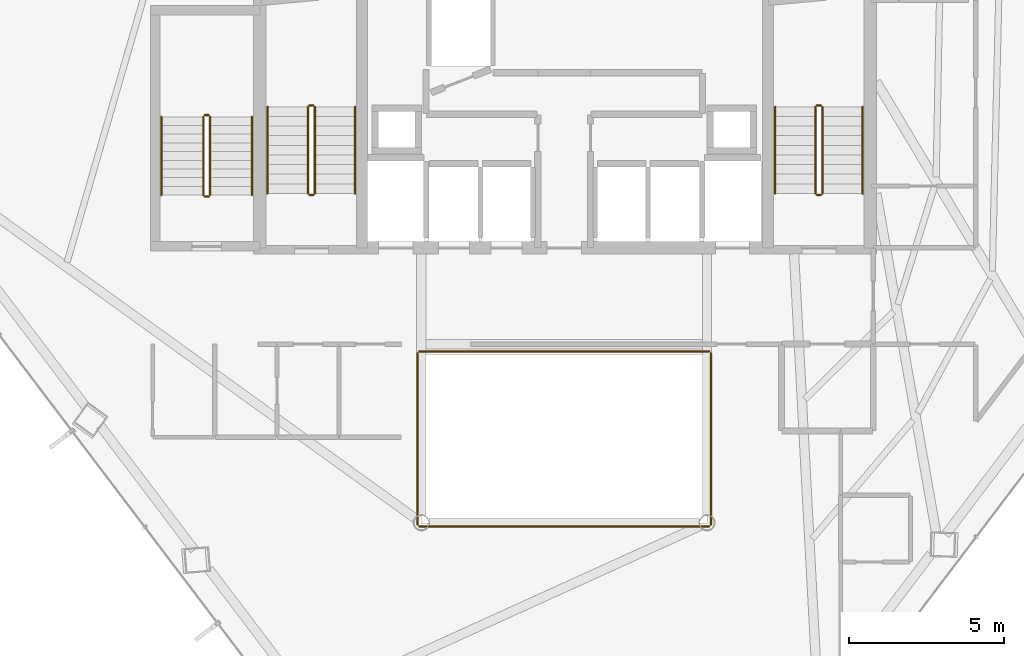
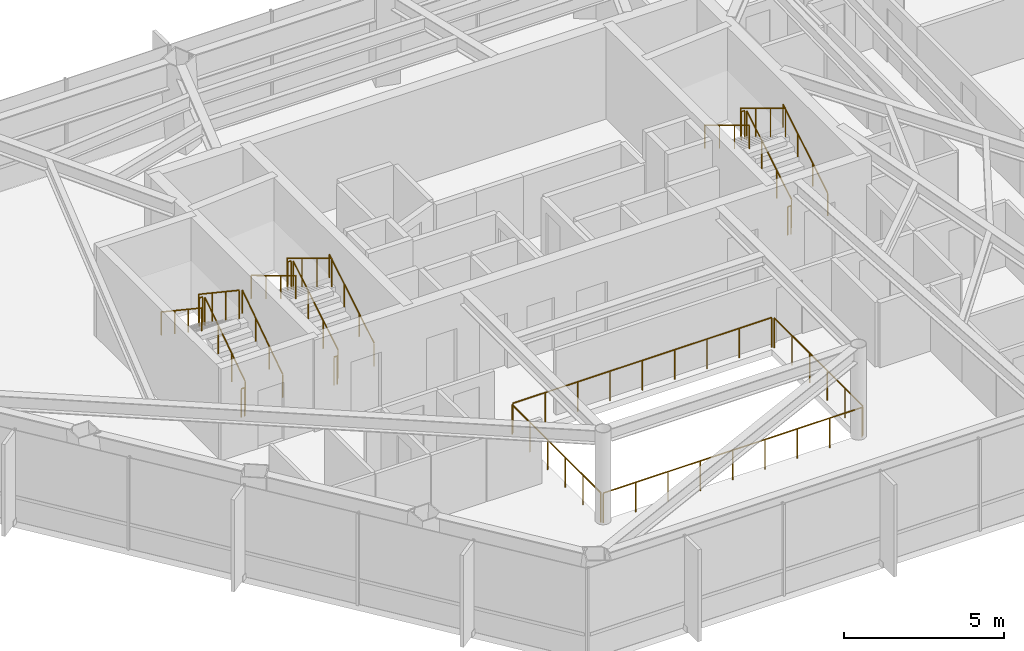
# One storey, part 30 of 30: 22 railings.
"""IFC4 building model written with IfcOpenShell, lengths in metres."""

from ifc_helpers import new_model, si_unit, direction, frame, origin, origin_2d, place, context, subcontext, project, spatial, circle, extrude, material, type_object, element, save


model = new_model("IFC4")

# Units and contexts
model_context = context("Model", 3, precision=1e-05, world=origin(), true_north=direction((0.0, 1.0)))
body_context = subcontext(model_context, "Body", "Model", "MODEL_VIEW")
ifc_project = project(units=[si_unit("LENGTHUNIT", "METRE"), si_unit("AREAUNIT", "SQUARE_METRE"), si_unit("VOLUMEUNIT", "CUBIC_METRE"), si_unit("PLANEANGLEUNIT", "RADIAN"), si_unit("MASSUNIT", "GRAM", prefix="KILO")], contexts=[model_context])

# Site, building, storey
site_placement = place(None, origin())
site = spatial("IfcSite", under=ifc_project, at=site_placement, CompositionType="ELEMENT")
building_placement = place(site_placement, origin())
building = spatial("IfcBuilding", under=site, at=building_placement, Name="Zarrinselat Tower", CompositionType="ELEMENT")
storey_placement = place(building_placement, frame((0.0, 0.0, 130.89990234375)))
storey = spatial("IfcBuildingStorey", under=building, at=storey_placement, Name="L31", CompositionType="ELEMENT", Elevation=130.89990234375)

# Railings
ifc_material_1 = material(Name="Double Low-E Laminated Solar Glass", Category="glass")
railing_type_1 = type_object("IfcRailingType", Name="RLG-ATRIUM-BAL", PredefinedType="BALUSTRADE", material=ifc_material_1)
railing_1_placement = place(storey_placement, frame((33.739990234375, 24.280029296875, 0.0)))
element("IfcRailing", 1, at=railing_1_placement, inside=storey, type_object=railing_type_1, Name="L31 Atrium Void Glass Balustrade S", PredefinedType="BALUSTRADE", context=body_context, shape_type="SweptSolid", body=[
    extrude(circle(Radius=0.02392578125, at=origin_2d()), frame((0.0, 0.0, 1.1259765625), z_axis=(1.0, 0.0, 0.0), x_axis=(0.0, 1.0, 0.0)), (0.0, 0.0, 1.0), 9.320068359375),
    extrude(circle(Radius=0.02099609375, at=origin_2d()), origin(), (0.0, 0.0, 1.0), 1.099853515625),
    extrude(circle(Radius=0.02099609375, at=origin_2d()), frame((1.1650390625, 0.0, 0.0)), (0.0, 0.0, 1.0), 1.099853515625),
    extrude(circle(Radius=0.02099609375, at=origin_2d()), frame((2.330078125, 0.0, 0.0)), (0.0, 0.0, 1.0), 1.099853515625),
    extrude(circle(Radius=0.02099609375, at=origin_2d()), frame((3.4951171875, 0.0, 0.0)), (0.0, 0.0, 1.0), 1.099853515625),
    extrude(circle(Radius=0.02099609375, at=origin_2d()), frame((4.66015625, 0.0, 0.0)), (0.0, 0.0, 1.0), 1.099853515625),
    extrude(circle(Radius=0.02099609375, at=origin_2d()), frame((5.824951171875, 0.0, 0.0)), (0.0, 0.0, 1.0), 1.099853515625),
    extrude(circle(Radius=0.02099609375, at=origin_2d()), frame((6.989990234375, 0.0, 0.0)), (0.0, 0.0, 1.0), 1.099853515625),
    extrude(circle(Radius=0.02099609375, at=origin_2d()), frame((8.155029296875, 0.0, 0.0)), (0.0, 0.0, 1.0), 1.099853515625),
    extrude(circle(Radius=0.02099609375, at=origin_2d()), frame((9.320068359375, 0.0, 0.0)), (0.0, 0.0, 1.0), 1.099853515625),
])
railing_2_placement = place(storey_placement, frame((43.1201171875, 24.340087890625, 0.0)))
element("IfcRailing", 2, at=railing_2_placement, inside=storey, type_object=railing_type_1, Name="L31 Atrium Void Glass Balustrade E", PredefinedType="BALUSTRADE", context=body_context, shape_type="SweptSolid", body=[
    extrude(circle(Radius=0.02392578125, at=origin_2d()), frame((0.0, 0.0, 1.1259765625), z_axis=(0.0, 1.0, 0.0), x_axis=(-1.0, 0.0, 0.0)), (0.0, 0.0, 1.0), 5.52001953125),
    extrude(circle(Radius=0.02099609375, at=origin_2d()), origin(), (0.0, 0.0, 1.0), 1.099853515625),
    extrude(circle(Radius=0.02099609375, at=origin_2d()), frame((0.0, 1.10400390625, 0.0)), (0.0, 0.0, 1.0), 1.099853515625),
    extrude(circle(Radius=0.02099609375, at=origin_2d()), frame((0.0, 2.2080078125, 0.0)), (0.0, 0.0, 1.0), 1.099853515625),
    extrude(circle(Radius=0.02099609375, at=origin_2d()), frame((0.0, 3.31201171875, 0.0)), (0.0, 0.0, 1.0), 1.099853515625),
    extrude(circle(Radius=0.02099609375, at=origin_2d()), frame((0.0, 4.416015625, 0.0)), (0.0, 0.0, 1.0), 1.099853515625),
    extrude(circle(Radius=0.02099609375, at=origin_2d()), frame((0.0, 5.52001953125, 0.0)), (0.0, 0.0, 1.0), 1.099853515625),
])
railing_3_placement = place(storey_placement, frame((43.06005859375, 29.919921875, 0.0)))
element("IfcRailing", 3, at=railing_3_placement, inside=storey, type_object=railing_type_1, Name="L31 Atrium Void Glass Balustrade N", PredefinedType="BALUSTRADE", context=body_context, shape_type="SweptSolid", body=[
    extrude(circle(Radius=0.02392578125, at=origin_2d()), frame((0.0, 0.0, 1.1259765625), z_axis=(-1.0, 0.0, 0.0), x_axis=(0.0, -1.0, 0.0)), (0.0, 0.0, 1.0), 9.320068359375),
    extrude(circle(Radius=0.02099609375, at=origin_2d()), origin(), (0.0, 0.0, 1.0), 1.099853515625),
    extrude(circle(Radius=0.02099609375, at=origin_2d()), frame((-1.1650390625, 0.0, 0.0)), (0.0, 0.0, 1.0), 1.099853515625),
    extrude(circle(Radius=0.02099609375, at=origin_2d()), frame((-2.330078125, 0.0, 0.0)), (0.0, 0.0, 1.0), 1.099853515625),
    extrude(circle(Radius=0.02099609375, at=origin_2d()), frame((-3.4951171875, 0.0, 0.0)), (0.0, 0.0, 1.0), 1.099853515625),
    extrude(circle(Radius=0.02099609375, at=origin_2d()), frame((-4.66015625, 0.0, 0.0)), (0.0, 0.0, 1.0), 1.099853515625),
    extrude(circle(Radius=0.02099609375, at=origin_2d()), frame((-5.824951171875, 0.0, 0.0)), (0.0, 0.0, 1.0), 1.099853515625),
    extrude(circle(Radius=0.02099609375, at=origin_2d()), frame((-6.989990234375, 0.0, 0.0)), (0.0, 0.0, 1.0), 1.099853515625),
    extrude(circle(Radius=0.02099609375, at=origin_2d()), frame((-8.155029296875, 0.0, 0.0)), (0.0, 0.0, 1.0), 1.099853515625),
    extrude(circle(Radius=0.02099609375, at=origin_2d()), frame((-9.320068359375, 0.0, 0.0)), (0.0, 0.0, 1.0), 1.099853515625),
])
railing_4_placement = place(storey_placement, frame((33.679931640625, 29.860107421875, 0.0)))
element("IfcRailing", 4, at=railing_4_placement, inside=storey, type_object=railing_type_1, Name="L31 Atrium Void Glass Balustrade W", PredefinedType="BALUSTRADE", context=body_context, shape_type="SweptSolid", body=[
    extrude(circle(Radius=0.02392578125, at=origin_2d()), frame((0.0, 0.0, 1.1259765625), z_axis=(0.0, -1.0, 0.0), x_axis=(1.0, 0.0, 0.0)), (0.0, 0.0, 1.0), 5.52001953125),
    extrude(circle(Radius=0.02099609375, at=origin_2d()), origin(), (0.0, 0.0, 1.0), 1.099853515625),
    extrude(circle(Radius=0.02099609375, at=origin_2d()), frame((0.0, -1.10400390625, 0.0)), (0.0, 0.0, 1.0), 1.099853515625),
    extrude(circle(Radius=0.02099609375, at=origin_2d()), frame((0.0, -2.2080078125, 0.0)), (0.0, 0.0, 1.0), 1.099853515625),
    extrude(circle(Radius=0.02099609375, at=origin_2d()), frame((0.0, -3.31201171875, 0.0)), (0.0, 0.0, 1.0), 1.099853515625),
    extrude(circle(Radius=0.02099609375, at=origin_2d()), frame((0.0, -4.416015625, 0.0)), (0.0, 0.0, 1.0), 1.099853515625),
    extrude(circle(Radius=0.02099609375, at=origin_2d()), frame((0.0, -5.52001953125, 0.0)), (0.0, 0.0, 1.0), 1.099853515625),
])
ifc_material_2 = material(Name="Steel S355J2", Category="steel")
railing_type_2 = type_object("IfcRailingType", Name="RLG-STAIR-GUARD", PredefinedType="GUARDRAIL", material=ifc_material_2)
railing_5_placement = place(storey_placement, frame((30.3701171875, 35.0, 0.18701171875)))
element("IfcRailing", 5, at=railing_5_placement, inside=storey, type_object=railing_type_2, Name="L31 ST-1 stair guard 1", PredefinedType="GUARDRAIL", context=body_context, shape_type="SweptSolid", body=[
    extrude(circle(Radius=0.02392578125, at=origin_2d()), frame((0.0, 0.0, 1.076171875), z_axis=(0.0, 0.856260799362, 0.516543747882), x_axis=(-1.0, 0.0, 0.0)), (0.0, 0.0, 1.0), 3.25830078125),
    extrude(circle(Radius=0.02099609375, at=origin_2d()), origin(), (0.0, 0.0, 1.0), 1.050048828125),
    extrude(circle(Radius=0.02099609375, at=origin_2d()), frame((0.0, 0.929931640625, 0.56103515625)), (0.0, 0.0, 1.0), 1.050048828125),
    extrude(circle(Radius=0.02099609375, at=origin_2d()), frame((0.0, 1.860107421875, 1.1220703125)), (0.0, 0.0, 1.0), 1.050048828125),
    extrude(circle(Radius=0.02099609375, at=origin_2d()), frame((0.0, 2.7900390625, 1.68310546875)), (0.0, 0.0, 1.0), 1.050048828125),
])
railing_6_placement = place(storey_placement, frame((30.320068359375, 37.840087890625, 1.8701171875)))
element("IfcRailing", 6, at=railing_6_placement, inside=storey, type_object=railing_type_2, Name="L31 ST-1 stair guard 2", PredefinedType="GUARDRAIL", context=body_context, shape_type="SweptSolid", body=[
    extrude(circle(Radius=0.02392578125, at=origin_2d()), frame((0.0, 0.0, 1.076171875), z_axis=(-1.0, 0.0, 0.0), x_axis=(0.0, -1.0, 0.0)), (0.0, 0.0, 1.0), 0.1201171875),
    extrude(circle(Radius=0.02099609375, at=origin_2d()), origin(), (0.0, 0.0, 1.0), 1.050048828125),
    extrude(circle(Radius=0.02099609375, at=origin_2d()), frame((-0.1201171875, 0.0, 0.0)), (0.0, 0.0, 1.0), 1.050048828125),
])
railing_7_placement = place(storey_placement, frame((30.14990234375, 37.7900390625, 2.05712890625)))
element("IfcRailing", 7, at=railing_7_placement, inside=storey, type_object=railing_type_2, Name="L31 ST-1 stair guard 3", PredefinedType="GUARDRAIL", context=body_context, shape_type="SweptSolid", body=[
    extrude(circle(Radius=0.02392578125, at=origin_2d()), frame((0.0, 0.0, 1.076171875), z_axis=(0.0, -0.856293938615, 0.516488809842), x_axis=(1.0, 0.0, 0.0)), (0.0, 0.0, 1.0), 3.25830078125),
    extrude(circle(Radius=0.02099609375, at=origin_2d()), origin(), (0.0, 0.0, 1.0), 1.050048828125),
    extrude(circle(Radius=0.02099609375, at=origin_2d()), frame((0.0, -0.929931640625, 0.56103515625)), (0.0, 0.0, 1.0), 1.050048828125),
    extrude(circle(Radius=0.02099609375, at=origin_2d()), frame((0.0, -1.860107421875, 1.121826171875)), (0.0, 0.0, 1.0), 1.050048828125),
    extrude(circle(Radius=0.02099609375, at=origin_2d()), frame((0.0, -2.7900390625, 1.682861328125)), (0.0, 0.0, 1.0), 1.050048828125),
])
railing_8_placement = place(storey_placement, frame((30.320068359375, 34.949951171875, 0.0)))
element("IfcRailing", 8, at=railing_8_placement, inside=storey, type_object=railing_type_2, Name="L31 ST-1 stair guard 4", PredefinedType="GUARDRAIL", context=body_context, shape_type="SweptSolid", body=[
    extrude(circle(Radius=0.02392578125, at=origin_2d()), frame((0.0, 0.0, 1.076171875), z_axis=(-1.0, 0.0, 0.0), x_axis=(0.0, -1.0, 0.0)), (0.0, 0.0, 1.0), 0.1201171875),
    extrude(circle(Radius=0.02099609375, at=origin_2d()), origin(), (0.0, 0.0, 1.0), 1.050048828125),
    extrude(circle(Radius=0.02099609375, at=origin_2d()), frame((-0.1201171875, 0.0, 0.0)), (0.0, 0.0, 1.0), 1.050048828125),
])
railing_9_placement = place(storey_placement, frame((46.7099609375, 35.0, 0.18701171875)))
element("IfcRailing", 9, at=railing_9_placement, inside=storey, type_object=railing_type_2, Name="L31 ST-2 stair guard 1", PredefinedType="GUARDRAIL", context=body_context, shape_type="SweptSolid", body=[
    extrude(circle(Radius=0.02392578125, at=origin_2d()), frame((0.0, 0.0, 1.076171875), z_axis=(0.0, 0.856260799362, 0.516543747882), x_axis=(-1.0, 0.0, 0.0)), (0.0, 0.0, 1.0), 3.25830078125),
    extrude(circle(Radius=0.02099609375, at=origin_2d()), origin(), (0.0, 0.0, 1.0), 1.050048828125),
    extrude(circle(Radius=0.02099609375, at=origin_2d()), frame((0.0, 0.929931640625, 0.56103515625)), (0.0, 0.0, 1.0), 1.050048828125),
    extrude(circle(Radius=0.02099609375, at=origin_2d()), frame((0.0, 1.860107421875, 1.1220703125)), (0.0, 0.0, 1.0), 1.050048828125),
    extrude(circle(Radius=0.02099609375, at=origin_2d()), frame((0.0, 2.7900390625, 1.68310546875)), (0.0, 0.0, 1.0), 1.050048828125),
])
railing_10_placement = place(storey_placement, frame((46.659912109375, 37.840087890625, 1.8701171875)))
element("IfcRailing", 10, at=railing_10_placement, inside=storey, type_object=railing_type_2, Name="L31 ST-2 stair guard 2", PredefinedType="GUARDRAIL", context=body_context, shape_type="SweptSolid", body=[
    extrude(circle(Radius=0.02392578125, at=origin_2d()), frame((0.0, 0.0, 1.076171875), z_axis=(-1.0, 0.0, 0.0), x_axis=(0.0, -1.0, 0.0)), (0.0, 0.0, 1.0), 0.119873046875),
    extrude(circle(Radius=0.02099609375, at=origin_2d()), origin(), (0.0, 0.0, 1.0), 1.050048828125),
    extrude(circle(Radius=0.02099609375, at=origin_2d()), frame((-0.119873046875, 0.0, 0.0)), (0.0, 0.0, 1.0), 1.050048828125),
])
railing_11_placement = place(storey_placement, frame((46.489990234375, 37.7900390625, 2.05712890625)))
element("IfcRailing", 11, at=railing_11_placement, inside=storey, type_object=railing_type_2, Name="L31 ST-2 stair guard 3", PredefinedType="GUARDRAIL", context=body_context, shape_type="SweptSolid", body=[
    extrude(circle(Radius=0.02392578125, at=origin_2d()), frame((0.0, 0.0, 1.076171875), z_axis=(0.0, -0.856293938615, 0.516488809842), x_axis=(1.0, 0.0, 0.0)), (0.0, 0.0, 1.0), 3.25830078125),
    extrude(circle(Radius=0.02099609375, at=origin_2d()), origin(), (0.0, 0.0, 1.0), 1.050048828125),
    extrude(circle(Radius=0.02099609375, at=origin_2d()), frame((0.0, -0.929931640625, 0.56103515625)), (0.0, 0.0, 1.0), 1.050048828125),
    extrude(circle(Radius=0.02099609375, at=origin_2d()), frame((0.0, -1.860107421875, 1.121826171875)), (0.0, 0.0, 1.0), 1.050048828125),
    extrude(circle(Radius=0.02099609375, at=origin_2d()), frame((0.0, -2.7900390625, 1.682861328125)), (0.0, 0.0, 1.0), 1.050048828125),
])
railing_12_placement = place(storey_placement, frame((46.659912109375, 34.949951171875, 0.0)))
element("IfcRailing", 12, at=railing_12_placement, inside=storey, type_object=railing_type_2, Name="L31 ST-2 stair guard 4", PredefinedType="GUARDRAIL", context=body_context, shape_type="SweptSolid", body=[
    extrude(circle(Radius=0.02392578125, at=origin_2d()), frame((0.0, 0.0, 1.076171875), z_axis=(-1.0, 0.0, 0.0), x_axis=(0.0, -1.0, 0.0)), (0.0, 0.0, 1.0), 0.119873046875),
    extrude(circle(Radius=0.02099609375, at=origin_2d()), origin(), (0.0, 0.0, 1.0), 1.050048828125),
    extrude(circle(Radius=0.02099609375, at=origin_2d()), frame((-0.119873046875, 0.0, 0.0)), (0.0, 0.0, 1.0), 1.050048828125),
])
railing_13_placement = place(storey_placement, frame((27.0, 34.949951171875, 0.18701171875)))
element("IfcRailing", 13, at=railing_13_placement, inside=storey, type_object=railing_type_2, Name="L31 ST-3 stair guard 1", PredefinedType="GUARDRAIL", context=body_context, shape_type="SweptSolid", body=[
    extrude(circle(Radius=0.02392578125, at=origin_2d()), frame((0.0, 0.0, 1.076171875), z_axis=(0.0, 0.831579006341, 0.555406478368), x_axis=(-1.0, 0.0, 0.0)), (0.0, 0.0, 1.0), 3.030517578125),
    extrude(circle(Radius=0.02099609375, at=origin_2d()), origin(), (0.0, 0.0, 1.0), 1.050048828125),
    extrude(circle(Radius=0.02099609375, at=origin_2d()), frame((0.0, 0.840087890625, 0.56103515625)), (0.0, 0.0, 1.0), 1.050048828125),
    extrude(circle(Radius=0.02099609375, at=origin_2d()), frame((0.0, 1.679931640625, 1.1220703125)), (0.0, 0.0, 1.0), 1.050048828125),
    extrude(circle(Radius=0.02099609375, at=origin_2d()), frame((0.0, 2.52001953125, 1.68310546875)), (0.0, 0.0, 1.0), 1.050048828125),
])
railing_14_placement = place(storey_placement, frame((26.949951171875, 37.52001953125, 1.8701171875)))
element("IfcRailing", 14, at=railing_14_placement, inside=storey, type_object=railing_type_2, Name="L31 ST-3 stair guard 2", PredefinedType="GUARDRAIL", context=body_context, shape_type="SweptSolid", body=[
    extrude(circle(Radius=0.02392578125, at=origin_2d()), frame((0.0, 0.0, 1.076171875), z_axis=(-1.0, 0.0, 0.0), x_axis=(0.0, -1.0, 0.0)), (0.0, 0.0, 1.0), 0.119873046875),
    extrude(circle(Radius=0.02099609375, at=origin_2d()), origin(), (0.0, 0.0, 1.0), 1.050048828125),
    extrude(circle(Radius=0.02099609375, at=origin_2d()), frame((-0.119873046875, 0.0, 0.0)), (0.0, 0.0, 1.0), 1.050048828125),
])
railing_15_placement = place(storey_placement, frame((26.780029296875, 37.469970703125, 2.05712890625)))
element("IfcRailing", 15, at=railing_15_placement, inside=storey, type_object=railing_type_2, Name="L31 ST-3 stair guard 3", PredefinedType="GUARDRAIL", context=body_context, shape_type="SweptSolid", body=[
    extrude(circle(Radius=0.02392578125, at=origin_2d()), frame((0.0, 0.0, 1.076171875), z_axis=(0.0, -0.831616215664, 0.555350762892), x_axis=(1.0, 0.0, 0.0)), (0.0, 0.0, 1.0), 3.0302734375),
    extrude(circle(Radius=0.02099609375, at=origin_2d()), origin(), (0.0, 0.0, 1.0), 1.050048828125),
    extrude(circle(Radius=0.02099609375, at=origin_2d()), frame((0.0, -0.840087890625, 0.56103515625)), (0.0, 0.0, 1.0), 1.050048828125),
    extrude(circle(Radius=0.02099609375, at=origin_2d()), frame((0.0, -1.679931640625, 1.121826171875)), (0.0, 0.0, 1.0), 1.050048828125),
    extrude(circle(Radius=0.02099609375, at=origin_2d()), frame((0.0, -2.52001953125, 1.682861328125)), (0.0, 0.0, 1.0), 1.050048828125),
])
railing_16_placement = place(storey_placement, frame((26.949951171875, 34.89990234375, 0.0)))
element("IfcRailing", 16, at=railing_16_placement, inside=storey, type_object=railing_type_2, Name="L31 ST-3 stair guard 4", PredefinedType="GUARDRAIL", context=body_context, shape_type="SweptSolid", body=[
    extrude(circle(Radius=0.02392578125, at=origin_2d()), frame((0.0, 0.0, 1.076171875), z_axis=(-1.0, 0.0, 0.0), x_axis=(0.0, -1.0, 0.0)), (0.0, 0.0, 1.0), 0.119873046875),
    extrude(circle(Radius=0.02099609375, at=origin_2d()), origin(), (0.0, 0.0, 1.0), 1.050048828125),
    extrude(circle(Radius=0.02099609375, at=origin_2d()), frame((-0.119873046875, 0.0, 0.0)), (0.0, 0.0, 1.0), 1.050048828125),
])
ifc_material_3 = material(Name="Steel S355J2", Category="steel")
railing_type_3 = type_object("IfcRailingType", Name="RLG-STAIR-HAND", PredefinedType="HANDRAIL", material=ifc_material_3)
railing_17_placement = place(storey_placement, frame((31.669921875, 35.0, 0.18701171875)))
element("IfcRailing", 17, at=railing_17_placement, inside=storey, type_object=railing_type_3, Name="L31 ST-1 stair handrail 1", PredefinedType="HANDRAIL", context=body_context, shape_type="SweptSolid", body=[
    extrude(circle(Radius=0.02392578125, at=origin_2d()), frame((0.0, 0.0, 0.8759765625), z_axis=(0.0, 0.856260799362, 0.516543747882), x_axis=(-1.0, 0.0, 0.0)), (0.0, 0.0, 1.0), 3.25830078125),
    extrude(circle(Radius=0.02099609375, at=origin_2d()), origin(), (0.0, 0.0, 1.0), 0.849853515625),
    extrude(circle(Radius=0.02099609375, at=origin_2d()), frame((0.0, 0.929931640625, 0.56103515625)), (0.0, 0.0, 1.0), 0.849853515625),
    extrude(circle(Radius=0.02099609375, at=origin_2d()), frame((0.0, 1.860107421875, 1.1220703125)), (0.0, 0.0, 1.0), 0.849853515625),
    extrude(circle(Radius=0.02099609375, at=origin_2d()), frame((0.0, 2.7900390625, 1.68310546875)), (0.0, 0.0, 1.0), 0.849853515625),
])
railing_18_placement = place(storey_placement, frame((28.85009765625, 37.7900390625, 2.05712890625)))
element("IfcRailing", 18, at=railing_18_placement, inside=storey, type_object=railing_type_3, Name="L31 ST-1 stair handrail 2", PredefinedType="HANDRAIL", context=body_context, shape_type="SweptSolid", body=[
    extrude(circle(Radius=0.02392578125, at=origin_2d()), frame((0.0, 0.0, 0.8759765625), z_axis=(0.0, -0.856293938615, 0.516488809842), x_axis=(1.0, 0.0, 0.0)), (0.0, 0.0, 1.0), 3.25830078125),
    extrude(circle(Radius=0.02099609375, at=origin_2d()), origin(), (0.0, 0.0, 1.0), 0.849853515625),
    extrude(circle(Radius=0.02099609375, at=origin_2d()), frame((0.0, -0.929931640625, 0.56103515625)), (0.0, 0.0, 1.0), 0.849853515625),
    extrude(circle(Radius=0.02099609375, at=origin_2d()), frame((0.0, -1.860107421875, 1.121826171875)), (0.0, 0.0, 1.0), 0.849853515625),
    extrude(circle(Radius=0.02099609375, at=origin_2d()), frame((0.0, -2.7900390625, 1.682861328125)), (0.0, 0.0, 1.0), 0.849853515625),
])
railing_19_placement = place(storey_placement, frame((48.010009765625, 35.0, 0.18701171875)))
element("IfcRailing", 19, at=railing_19_placement, inside=storey, type_object=railing_type_3, Name="L31 ST-2 stair handrail 1", PredefinedType="HANDRAIL", context=body_context, shape_type="SweptSolid", body=[
    extrude(circle(Radius=0.02392578125, at=origin_2d()), frame((0.0, 0.0, 0.8759765625), z_axis=(0.0, 0.856260799362, 0.516543747882), x_axis=(-1.0, 0.0, 0.0)), (0.0, 0.0, 1.0), 3.25830078125),
    extrude(circle(Radius=0.02099609375, at=origin_2d()), origin(), (0.0, 0.0, 1.0), 0.849853515625),
    extrude(circle(Radius=0.02099609375, at=origin_2d()), frame((0.0, 0.929931640625, 0.56103515625)), (0.0, 0.0, 1.0), 0.849853515625),
    extrude(circle(Radius=0.02099609375, at=origin_2d()), frame((0.0, 1.860107421875, 1.1220703125)), (0.0, 0.0, 1.0), 0.849853515625),
    extrude(circle(Radius=0.02099609375, at=origin_2d()), frame((0.0, 2.7900390625, 1.68310546875)), (0.0, 0.0, 1.0), 0.849853515625),
])
railing_20_placement = place(storey_placement, frame((45.18994140625, 37.7900390625, 2.05712890625)))
element("IfcRailing", 20, at=railing_20_placement, inside=storey, type_object=railing_type_3, Name="L31 ST-2 stair handrail 2", PredefinedType="HANDRAIL", context=body_context, shape_type="SweptSolid", body=[
    extrude(circle(Radius=0.02392578125, at=origin_2d()), frame((0.0, 0.0, 0.8759765625), z_axis=(0.0, -0.856293938615, 0.516488809842), x_axis=(1.0, 0.0, 0.0)), (0.0, 0.0, 1.0), 3.25830078125),
    extrude(circle(Radius=0.02099609375, at=origin_2d()), origin(), (0.0, 0.0, 1.0), 0.849853515625),
    extrude(circle(Radius=0.02099609375, at=origin_2d()), frame((0.0, -0.929931640625, 0.56103515625)), (0.0, 0.0, 1.0), 0.849853515625),
    extrude(circle(Radius=0.02099609375, at=origin_2d()), frame((0.0, -1.860107421875, 1.121826171875)), (0.0, 0.0, 1.0), 0.849853515625),
    extrude(circle(Radius=0.02099609375, at=origin_2d()), frame((0.0, -2.7900390625, 1.682861328125)), (0.0, 0.0, 1.0), 0.849853515625),
])
railing_21_placement = place(storey_placement, frame((28.35009765625, 34.949951171875, 0.18701171875)))
element("IfcRailing", 21, at=railing_21_placement, inside=storey, type_object=railing_type_3, Name="L31 ST-3 stair handrail 1", PredefinedType="HANDRAIL", context=body_context, shape_type="SweptSolid", body=[
    extrude(circle(Radius=0.02392578125, at=origin_2d()), frame((0.0, 0.0, 0.8759765625), z_axis=(0.0, 0.831579006341, 0.555406478368), x_axis=(-1.0, 0.0, 0.0)), (0.0, 0.0, 1.0), 3.030517578125),
    extrude(circle(Radius=0.02099609375, at=origin_2d()), origin(), (0.0, 0.0, 1.0), 0.849853515625),
    extrude(circle(Radius=0.02099609375, at=origin_2d()), frame((0.0, 0.840087890625, 0.56103515625)), (0.0, 0.0, 1.0), 0.849853515625),
    extrude(circle(Radius=0.02099609375, at=origin_2d()), frame((0.0, 1.679931640625, 1.1220703125)), (0.0, 0.0, 1.0), 0.849853515625),
    extrude(circle(Radius=0.02099609375, at=origin_2d()), frame((0.0, 2.52001953125, 1.68310546875)), (0.0, 0.0, 1.0), 0.849853515625),
])
railing_22_placement = place(storey_placement, frame((25.429931640625, 37.469970703125, 2.05712890625)))
element("IfcRailing", 22, at=railing_22_placement, inside=storey, type_object=railing_type_3, Name="L31 ST-3 stair handrail 2", PredefinedType="HANDRAIL", context=body_context, shape_type="SweptSolid", body=[
    extrude(circle(Radius=0.02392578125, at=origin_2d()), frame((0.0, 0.0, 0.8759765625), z_axis=(0.0, -0.831616215664, 0.555350762892), x_axis=(1.0, 0.0, 0.0)), (0.0, 0.0, 1.0), 3.0302734375),
    extrude(circle(Radius=0.02099609375, at=origin_2d()), origin(), (0.0, 0.0, 1.0), 0.849853515625),
    extrude(circle(Radius=0.02099609375, at=origin_2d()), frame((0.0, -0.840087890625, 0.56103515625)), (0.0, 0.0, 1.0), 0.849853515625),
    extrude(circle(Radius=0.02099609375, at=origin_2d()), frame((0.0, -1.679931640625, 1.121826171875)), (0.0, 0.0, 1.0), 0.849853515625),
    extrude(circle(Radius=0.02099609375, at=origin_2d()), frame((0.0, -2.52001953125, 1.682861328125)), (0.0, 0.0, 1.0), 0.849853515625),
])

save(model, "model.ifc")
